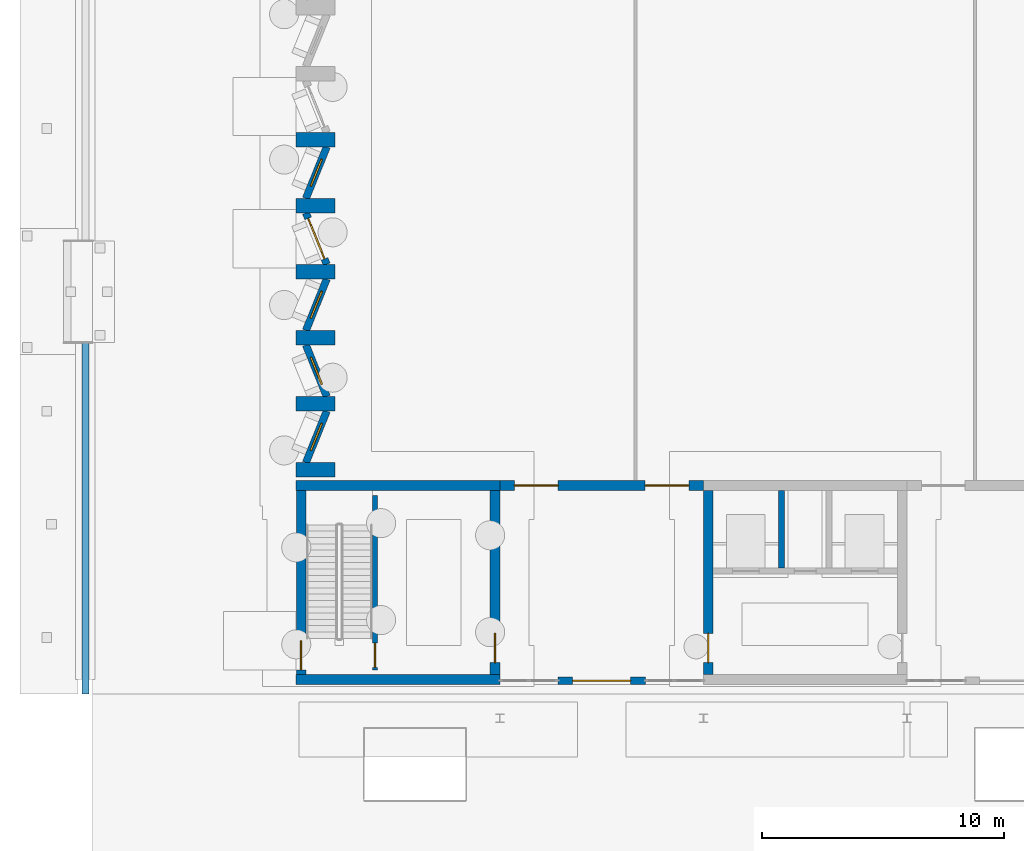
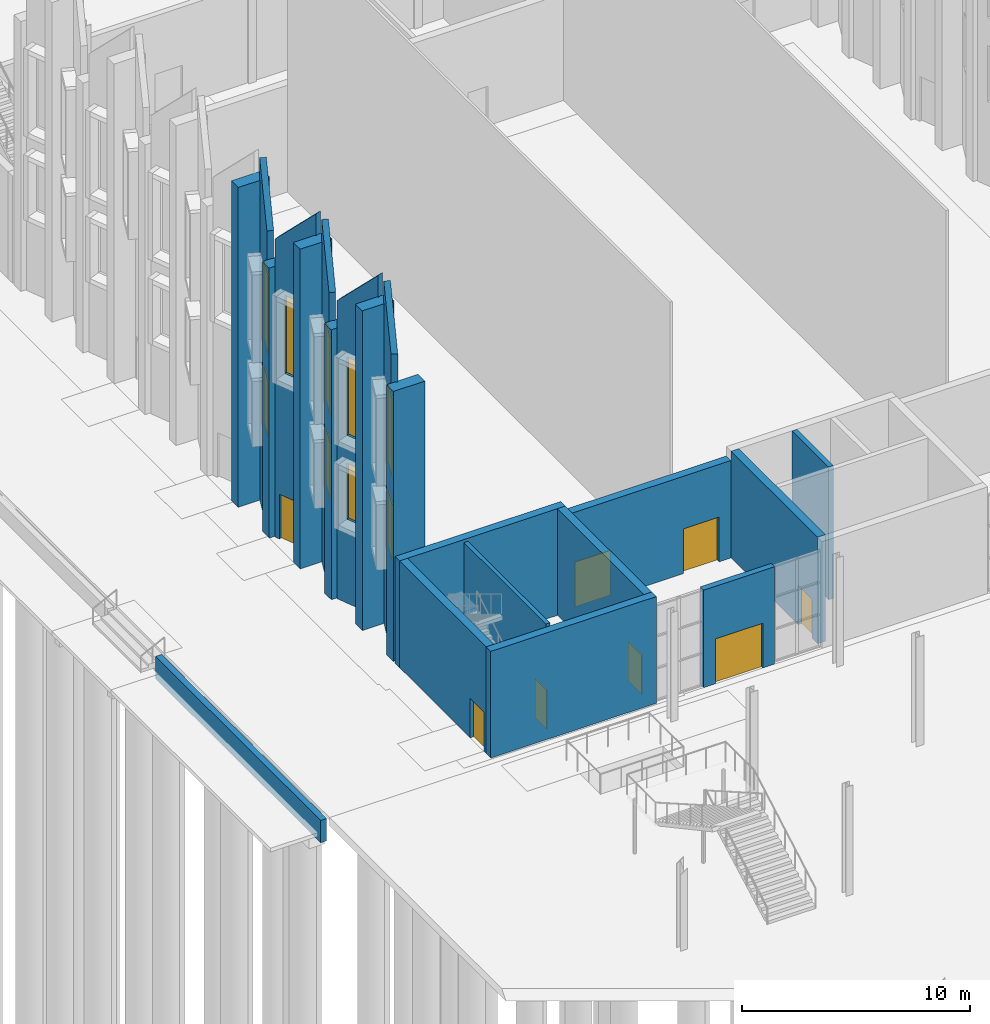
# One storey, part 61 of 108: 21 walls, 9 windows, 8 doors, 17 openings.
"""IFC4 building model written with IfcOpenShell, lengths in metres."""

from ifc_helpers import new_model, si_unit, direction, frame, frame_2d, origin, place, context, subcontext, project, spatial, polyline, rectangle, outline, extrude, material, layer, layer_set, type_object, element, fill, save


model = new_model("IFC4")

# Units and contexts
model_context = context("Model", 3, precision=1e-05, world=origin(), true_north=direction((0.0, 1.0)))
body_context = subcontext(model_context, "Body", "Model", "MODEL_VIEW")
ifc_project = project(units=[si_unit("LENGTHUNIT", "METRE"), si_unit("AREAUNIT", "SQUARE_METRE"), si_unit("VOLUMEUNIT", "CUBIC_METRE"), si_unit("PLANEANGLEUNIT", "RADIAN"), si_unit("MASSUNIT", "GRAM", prefix="KILO")], contexts=[model_context])

# Site, building, storey
site_placement = place(None, origin())
site = spatial("IfcSite", under=ifc_project, at=site_placement, CompositionType="ELEMENT")
building_placement = place(site_placement, origin())
building = spatial("IfcBuilding", under=site, at=building_placement, Name="Cresset Court Congress Hotel", CompositionType="ELEMENT")
storey_placement = place(building_placement, origin())
storey = spatial("IfcBuildingStorey", under=building, at=storey_placement, Name="L00", CompositionType="ELEMENT", Elevation=0.0)

# Wall
ifc_material_1 = material(Name="Concrete C35", Category="concrete")
ifc_layer_1 = layer(ifc_material_1, 0.300048828125)
ifc_layer_set_1 = layer_set([ifc_layer_1], Name="Plinth wall 300")
wall_type_1 = type_object("IfcWallType", Name="Plinth wall 300", PredefinedType="SOLIDWALL", material=ifc_layer_set_1)
wall_1_placement = place(storey_placement, frame((-0.300048828125, 58.39990234375, -1.199951171875), z_axis=(0.0, 0.0, 1.0), x_axis=(0.0, 1.0, 0.0)))
element("IfcWall", 1, at=wall_1_placement, inside=storey, type_object=wall_type_1, Name="S.wall.L00.PW01", PredefinedType="SOLIDWALL", context=body_context, shape_type="SweptSolid", body=[
    extrude(rectangle(XDim=14.5, YDim=0.300048828125, at=frame_2d((7.25, 0.0))), origin(), (0.0, 0.0, 1.0), 1.199951171875),
])

# Wall, opening, door
ifc_material_2 = material(Name="Precast concrete C50", Category="concrete")
ifc_layer_2 = layer(ifc_material_2, 0.300048828125)
ifc_layer_set_2 = layer_set([ifc_layer_2], Name="Precast external wall 300 C50")
wall_type_2 = type_object("IfcWallType", Name="Precast external wall 300 C50", PredefinedType="SOLIDWALL", material=ifc_layer_set_2)
wall_2_placement = place(storey_placement, frame((19.199951171875, 58.949951171875, 0.0), z_axis=(0.0, 0.0, 1.0), x_axis=(1.0, 0.0, 0.0)))
wall_2 = element("IfcWall", 2, at=wall_2_placement, inside=storey, type_object=wall_type_2, Name="Foyer entrance wall L00 W", PredefinedType="SOLIDWALL", context=body_context, shape_type="SweptSolid", body=[
    extrude(rectangle(XDim=3.60009765625, YDim=0.300048828125, at=frame_2d((1.800048828125, 0.0))), origin(), (0.0, 0.0, 1.0), 5.219970703125),
])
opening_1_placement = place(wall_2_placement, frame((0.60009765625, 0.0, 0.0)))
opening_1 = element("IfcOpeningElement", 3, at=opening_1_placement, cuts=wall_2, Name="Opening DD-00-01", PredefinedType="OPENING", context=body_context, shape_type="SweptSolid", body=[
    extrude(rectangle(XDim=2.39990234375, YDim=2.39990234375, at=frame_2d((1.199951171875, 1.199951171875))), frame((0.0, 0.159912109375, 0.0), z_axis=(0.0, -1.0, 0.0), x_axis=(1.0, 0.0, 0.0)), (0.0, 0.0, 1.0), 0.320068359375),
])
ifc_material_3 = material(Name="Timber door leaf", Category="wood")
door_type_1 = type_object("IfcDoorType", Name="Entrance double door 2400x2400", OperationType="DOUBLE_DOOR_SINGLE_SWING", PredefinedType="DOOR", material=ifc_material_3)
door_1_placement = place(opening_1_placement, origin())
door_1 = element("IfcDoor", 4, at=door_1_placement, inside=storey, type_object=door_type_1, Name="Entrance double door DD-00-01", OperationType="DOUBLE_DOOR_SINGLE_SWING", OverallHeight=2.39990234375, OverallWidth=2.39990234375, PredefinedType="DOOR", context=body_context, shape_type="SweptSolid", body=[
    extrude(rectangle(XDim=2.39990234375, YDim=2.39990234375, at=frame_2d((1.199951171875, 1.199951171875))), frame((0.0, 0.02490234375, 0.0), z_axis=(0.0, -1.0, 0.0), x_axis=(1.0, 0.0, 0.0)), (0.0, 0.0, 1.0), 0.050048828125),
])
fill(opening_1, door_1)

# Wall, openings, windows
ifc_material_4 = material(Name="Limestone-faced precast concrete C50", Category="masonry")
ifc_layer_3 = layer(ifc_material_4, 0.300048828125)
ifc_layer_set_3 = layer_set([ifc_layer_3], Name="Precast folded wall panel 300 C50")
wall_type_3 = type_object("IfcWallType", Name="Precast folded wall panel 300 C50", PredefinedType="SOLIDWALL", material=ifc_layer_set_3)
wall_3_placement = place(storey_placement, frame((8.800048828125, 67.949951171875, 0.0), z_axis=(0.0, 0.0, 1.0), x_axis=(0.37463916886, 0.927170692567, 0.0)))
wall_3 = element("IfcWall", 5, at=wall_3_placement, inside=storey, type_object=wall_type_3, Name="Folded wall panel W1", PredefinedType="SOLIDWALL", context=body_context, shape_type="SweptSolid", body=[
    extrude(outline(polyline([(0.0, 0.0), (2.2919921875, 0.0), (2.2919921875, 18.312255859375), (0.0, 15.972900390625), (0.0, 0.0)])), frame((0.0, 0.14990234375, 0.0), z_axis=(0.0, -1.0, 0.0), x_axis=(1.0, 0.0, 0.0)), (0.0, 0.0, 1.0), 0.300048828125),
])
opening_2_placement = place(wall_3_placement, frame((0.5458984375, 0.0, 4.5)))
opening_2 = element("IfcOpeningElement", 6, at=opening_2_placement, cuts=wall_3, Name="Opening ND-00-02", PredefinedType="OPENING", context=body_context, shape_type="SweptSolid", body=[
    extrude(rectangle(XDim=1.199951171875, YDim=3.0, at=frame_2d((0.60009765625, 1.5))), frame((0.0, 0.159912109375, 0.0), z_axis=(0.0, -1.0, 0.0), x_axis=(1.0, 0.0, 0.0)), (0.0, 0.0, 1.0), 0.320068359375),
])
opening_3_placement = place(wall_3_placement, frame((0.5458984375, 0.0, 9.0)))
opening_3 = element("IfcOpeningElement", 7, at=opening_3_placement, cuts=wall_3, Name="Opening ND-00-03", PredefinedType="OPENING", context=body_context, shape_type="SweptSolid", body=[
    extrude(rectangle(XDim=1.199951171875, YDim=4.199951171875, at=frame_2d((0.60009765625, 2.10009765625))), frame((0.0, 0.159912109375, 0.0), z_axis=(0.0, -1.0, 0.0), x_axis=(1.0, 0.0, 0.0)), (0.0, 0.0, 1.0), 0.320068359375),
])
ifc_material_5 = material(Name="Aluminium frame with double glazing", Category="aluminium")
window_type_1 = type_object("IfcWindowType", Name="Window 1200x3000", PartitioningType="TRIPLE_PANEL_VERTICAL", PredefinedType="WINDOW", material=ifc_material_5)
window_1_placement = place(opening_2_placement, origin())
window_1 = element("IfcWindow", 8, at=window_1_placement, inside=storey, type_object=window_type_1, Name="Window ND-00-02", OverallHeight=3.0, OverallWidth=1.199951171875, PartitioningType="TRIPLE_PANEL_VERTICAL", PredefinedType="WINDOW", context=body_context, shape_type="SweptSolid", body=[
    extrude(rectangle(XDim=1.199951171875, YDim=3.0, at=frame_2d((0.60009765625, 1.5))), frame((0.0, 0.030029296875, 0.0), z_axis=(0.0, -1.0, 0.0), x_axis=(1.0, 0.0, 0.0)), (0.0, 0.0, 1.0), 0.06005859375),
])
fill(opening_2, window_1)
ifc_material_6 = material(Name="Aluminium frame with double glazing", Category="aluminium")
window_type_2 = type_object("IfcWindowType", Name="Window 1200x4200", PartitioningType="TRIPLE_PANEL_VERTICAL", PredefinedType="WINDOW", material=ifc_material_6)
window_2_placement = place(opening_3_placement, origin())
window_2 = element("IfcWindow", 9, at=window_2_placement, inside=storey, type_object=window_type_2, Name="Window ND-00-03", OverallHeight=4.199951171875, OverallWidth=1.199951171875, PartitioningType="TRIPLE_PANEL_VERTICAL", PredefinedType="WINDOW", context=body_context, shape_type="SweptSolid", body=[
    extrude(rectangle(XDim=1.199951171875, YDim=4.199951171875, at=frame_2d((0.60009765625, 2.10009765625))), frame((0.0, 0.030029296875, 0.0), z_axis=(0.0, -1.0, 0.0), x_axis=(1.0, 0.0, 0.0)), (0.0, 0.0, 1.0), 0.06005859375),
])
fill(opening_3, window_2)

wall_4_placement = place(storey_placement, frame((9.65869140625, 70.675048828125, 0.0), z_axis=(0.0, 0.0, 1.0), x_axis=(-0.37463916886, 0.927170692567, 0.0)))
wall_4 = element("IfcWall", 10, at=wall_4_placement, inside=storey, type_object=wall_type_3, Name="Folded wall panel W2", PredefinedType="SOLIDWALL", context=body_context, shape_type="SweptSolid", body=[
    extrude(outline(polyline([(0.0, 0.0), (2.2919921875, 0.0), (2.2919921875, 15.972900390625), (0.0, 18.312255859375), (0.0, 0.0)])), frame((0.0, 0.14990234375, 0.0), z_axis=(0.0, -1.0, 0.0), x_axis=(1.0, 0.0, 0.0)), (0.0, 0.0, 1.0), 0.300048828125),
])
opening_4_placement = place(wall_4_placement, frame((0.5458984375, 0.0, 4.5)))
opening_4 = element("IfcOpeningElement", 11, at=opening_4_placement, cuts=wall_4, Name="Opening ND-00-04", PredefinedType="OPENING", context=body_context, shape_type="SweptSolid", body=[
    extrude(rectangle(XDim=1.199951171875, YDim=3.0, at=frame_2d((0.60009765625, 1.5))), frame((0.0, 0.159912109375, 0.0), z_axis=(0.0, -1.0, 0.0), x_axis=(1.0, 0.0, 0.0)), (0.0, 0.0, 1.0), 0.320068359375),
])
opening_5_placement = place(wall_4_placement, frame((0.5458984375, 0.0, 9.0)))
opening_5 = element("IfcOpeningElement", 12, at=opening_5_placement, cuts=wall_4, Name="Opening ND-00-05", PredefinedType="OPENING", context=body_context, shape_type="SweptSolid", body=[
    extrude(rectangle(XDim=1.199951171875, YDim=4.199951171875, at=frame_2d((0.60009765625, 2.10009765625))), frame((0.0, 0.159912109375, 0.0), z_axis=(0.0, -1.0, 0.0), x_axis=(1.0, 0.0, 0.0)), (0.0, 0.0, 1.0), 0.320068359375),
])
window_3_placement = place(opening_4_placement, origin())
window_3 = element("IfcWindow", 13, at=window_3_placement, inside=storey, type_object=window_type_1, Name="Window ND-00-04", OverallHeight=3.0, OverallWidth=1.199951171875, PartitioningType="TRIPLE_PANEL_VERTICAL", PredefinedType="WINDOW", context=body_context, shape_type="SweptSolid", body=[
    extrude(rectangle(XDim=1.199951171875, YDim=3.0, at=frame_2d((0.60009765625, 1.5))), frame((0.0, 0.030029296875, 0.0), z_axis=(0.0, -1.0, 0.0), x_axis=(1.0, 0.0, 0.0)), (0.0, 0.0, 1.0), 0.06005859375),
])
fill(opening_4, window_3)
window_4_placement = place(opening_5_placement, origin())
window_4 = element("IfcWindow", 14, at=window_4_placement, inside=storey, type_object=window_type_2, Name="Window ND-00-05", OverallHeight=4.199951171875, OverallWidth=1.199951171875, PartitioningType="TRIPLE_PANEL_VERTICAL", PredefinedType="WINDOW", context=body_context, shape_type="SweptSolid", body=[
    extrude(rectangle(XDim=1.199951171875, YDim=4.199951171875, at=frame_2d((0.60009765625, 2.10009765625))), frame((0.0, 0.030029296875, 0.0), z_axis=(0.0, -1.0, 0.0), x_axis=(1.0, 0.0, 0.0)), (0.0, 0.0, 1.0), 0.06005859375),
])
fill(opening_5, window_4)

wall_5_placement = place(storey_placement, frame((8.800048828125, 73.39990234375, 0.0), z_axis=(0.0, 0.0, 1.0), x_axis=(0.37463916886, 0.927170692567, 0.0)))
wall_5 = element("IfcWall", 15, at=wall_5_placement, inside=storey, type_object=wall_type_3, Name="Folded wall panel W3", PredefinedType="SOLIDWALL", context=body_context, shape_type="SweptSolid", body=[
    extrude(outline(polyline([(0.0, 0.0), (2.2919921875, 0.0), (2.2919921875, 18.312255859375), (0.0, 15.972900390625), (0.0, 0.0)])), frame((0.0, 0.14990234375, 0.0), z_axis=(0.0, -1.0, 0.0), x_axis=(1.0, 0.0, 0.0)), (0.0, 0.0, 1.0), 0.300048828125),
])
opening_6_placement = place(wall_5_placement, frame((0.5458984375, 0.0, 4.5)))
opening_6 = element("IfcOpeningElement", 16, at=opening_6_placement, cuts=wall_5, Name="Opening ND-00-06", PredefinedType="OPENING", context=body_context, shape_type="SweptSolid", body=[
    extrude(rectangle(XDim=1.199951171875, YDim=3.0, at=frame_2d((0.60009765625, 1.5))), frame((0.0, 0.159912109375, 0.0), z_axis=(0.0, -1.0, 0.0), x_axis=(1.0, 0.0, 0.0)), (0.0, 0.0, 1.0), 0.320068359375),
])
opening_7_placement = place(wall_5_placement, frame((0.5458984375, 0.0, 9.0)))
opening_7 = element("IfcOpeningElement", 17, at=opening_7_placement, cuts=wall_5, Name="Opening ND-00-07", PredefinedType="OPENING", context=body_context, shape_type="SweptSolid", body=[
    extrude(rectangle(XDim=1.199951171875, YDim=4.199951171875, at=frame_2d((0.60009765625, 2.10009765625))), frame((0.0, 0.159912109375, 0.0), z_axis=(0.0, -1.0, 0.0), x_axis=(1.0, 0.0, 0.0)), (0.0, 0.0, 1.0), 0.320068359375),
])
window_5_placement = place(opening_6_placement, origin())
window_5 = element("IfcWindow", 18, at=window_5_placement, inside=storey, type_object=window_type_1, Name="Window ND-00-06", OverallHeight=3.0, OverallWidth=1.199951171875, PartitioningType="TRIPLE_PANEL_VERTICAL", PredefinedType="WINDOW", context=body_context, shape_type="SweptSolid", body=[
    extrude(rectangle(XDim=1.199951171875, YDim=3.0, at=frame_2d((0.60009765625, 1.5))), frame((0.0, 0.030029296875, 0.0), z_axis=(0.0, -1.0, 0.0), x_axis=(1.0, 0.0, 0.0)), (0.0, 0.0, 1.0), 0.06005859375),
])
fill(opening_6, window_5)
window_6_placement = place(opening_7_placement, origin())
window_6 = element("IfcWindow", 19, at=window_6_placement, inside=storey, type_object=window_type_2, Name="Window ND-00-07", OverallHeight=4.199951171875, OverallWidth=1.199951171875, PartitioningType="TRIPLE_PANEL_VERTICAL", PredefinedType="WINDOW", context=body_context, shape_type="SweptSolid", body=[
    extrude(rectangle(XDim=1.199951171875, YDim=4.199951171875, at=frame_2d((0.60009765625, 2.10009765625))), frame((0.0, 0.030029296875, 0.0), z_axis=(0.0, -1.0, 0.0), x_axis=(1.0, 0.0, 0.0)), (0.0, 0.0, 1.0), 0.06005859375),
])
fill(opening_7, window_6)

# Wall, openings, door, window
wall_6_placement = place(storey_placement, frame((9.65869140625, 76.125, 0.0), z_axis=(0.0, 0.0, 1.0), x_axis=(-0.37463916886, 0.927170692567, 0.0)))
wall_6 = element("IfcWall", 20, at=wall_6_placement, inside=storey, type_object=wall_type_3, Name="Folded wall panel W4", PredefinedType="SOLIDWALL", context=body_context, shape_type="SweptSolid", body=[
    extrude(outline(polyline([(0.0, 0.0), (2.2919921875, 0.0), (2.2919921875, 15.972900390625), (0.0, 18.312255859375), (0.0, 0.0)])), frame((0.0, 0.14990234375, 0.0), z_axis=(0.0, -1.0, 0.0), x_axis=(1.0, 0.0, 0.0)), (0.0, 0.0, 1.0), 0.300048828125),
])
opening_8_placement = place(wall_6_placement, frame((0.24609375, 0.0, 0.0)))
opening_8 = element("IfcOpeningElement", 21, at=opening_8_placement, cuts=wall_6, Name="Opening DD-00-08", PredefinedType="OPENING", context=body_context, shape_type="SweptSolid", body=[
    extrude(rectangle(XDim=1.800048828125, YDim=2.39990234375, at=frame_2d((0.89990234375, 1.199951171875))), frame((0.0, 0.159912109375, 0.0), z_axis=(0.0, -1.0, 0.0), x_axis=(1.0, 0.0, 0.0)), (0.0, 0.0, 1.0), 0.320068359375),
])
opening_9_placement = place(wall_6_placement, frame((0.5458984375, 0.0, 9.0)))
opening_9 = element("IfcOpeningElement", 22, at=opening_9_placement, cuts=wall_6, Name="Opening ND-00-08", PredefinedType="OPENING", context=body_context, shape_type="SweptSolid", body=[
    extrude(rectangle(XDim=1.199951171875, YDim=4.199951171875, at=frame_2d((0.60009765625, 2.10009765625))), frame((0.0, 0.159912109375, 0.0), z_axis=(0.0, -1.0, 0.0), x_axis=(1.0, 0.0, 0.0)), (0.0, 0.0, 1.0), 0.320068359375),
])
ifc_material_7 = material(Name="Timber door leaf", Category="wood")
door_type_2 = type_object("IfcDoorType", Name="Hall exit double door 1800x2400", OperationType="DOUBLE_DOOR_SINGLE_SWING", PredefinedType="DOOR", material=ifc_material_7)
door_2_placement = place(opening_8_placement, origin())
door_2 = element("IfcDoor", 23, at=door_2_placement, inside=storey, type_object=door_type_2, Name="Hall exit double door DD-00-08", OperationType="DOUBLE_DOOR_SINGLE_SWING", OverallHeight=2.39990234375, OverallWidth=1.800048828125, PredefinedType="DOOR", context=body_context, shape_type="SweptSolid", body=[
    extrude(rectangle(XDim=1.800048828125, YDim=2.39990234375, at=frame_2d((0.89990234375, 1.199951171875))), frame((0.0, 0.02490234375, 0.0), z_axis=(0.0, -1.0, 0.0), x_axis=(1.0, 0.0, 0.0)), (0.0, 0.0, 1.0), 0.050048828125),
])
fill(opening_8, door_2)
window_7_placement = place(opening_9_placement, origin())
window_7 = element("IfcWindow", 24, at=window_7_placement, inside=storey, type_object=window_type_2, Name="Window ND-00-08", OverallHeight=4.199951171875, OverallWidth=1.199951171875, PartitioningType="TRIPLE_PANEL_VERTICAL", PredefinedType="WINDOW", context=body_context, shape_type="SweptSolid", body=[
    extrude(rectangle(XDim=1.199951171875, YDim=4.199951171875, at=frame_2d((0.60009765625, 2.10009765625))), frame((0.0, 0.030029296875, 0.0), z_axis=(0.0, -1.0, 0.0), x_axis=(1.0, 0.0, 0.0)), (0.0, 0.0, 1.0), 0.06005859375),
])
fill(opening_9, window_7)

# Wall, openings, windows
wall_7_placement = place(storey_placement, frame((8.800048828125, 78.85009765625, 0.0), z_axis=(0.0, 0.0, 1.0), x_axis=(0.37463916886, 0.927170692567, 0.0)))
wall_7 = element("IfcWall", 25, at=wall_7_placement, inside=storey, type_object=wall_type_3, Name="Folded wall panel W5", PredefinedType="SOLIDWALL", context=body_context, shape_type="SweptSolid", body=[
    extrude(outline(polyline([(0.0, 0.0), (2.2919921875, 0.0), (2.2919921875, 18.312255859375), (0.0, 15.972900390625), (0.0, 0.0)])), frame((0.0, 0.14990234375, 0.0), z_axis=(0.0, -1.0, 0.0), x_axis=(1.0, 0.0, 0.0)), (0.0, 0.0, 1.0), 0.300048828125),
])
opening_10_placement = place(wall_7_placement, frame((0.5458984375, 0.0, 4.5)))
opening_10 = element("IfcOpeningElement", 26, at=opening_10_placement, cuts=wall_7, Name="Opening ND-00-09", PredefinedType="OPENING", context=body_context, shape_type="SweptSolid", body=[
    extrude(rectangle(XDim=1.199951171875, YDim=3.0, at=frame_2d((0.60009765625, 1.5))), frame((0.0, 0.159912109375, 0.0), z_axis=(0.0, -1.0, 0.0), x_axis=(1.0, 0.0, 0.0)), (0.0, 0.0, 1.0), 0.320068359375),
])
opening_11_placement = place(wall_7_placement, frame((0.5458984375, 0.0, 9.0)))
opening_11 = element("IfcOpeningElement", 27, at=opening_11_placement, cuts=wall_7, Name="Opening ND-00-10", PredefinedType="OPENING", context=body_context, shape_type="SweptSolid", body=[
    extrude(rectangle(XDim=1.199951171875, YDim=4.199951171875, at=frame_2d((0.60009765625, 2.10009765625))), frame((0.0, 0.159912109375, 0.0), z_axis=(0.0, -1.0, 0.0), x_axis=(1.0, 0.0, 0.0)), (0.0, 0.0, 1.0), 0.320068359375),
])
window_8_placement = place(opening_10_placement, origin())
window_8 = element("IfcWindow", 28, at=window_8_placement, inside=storey, type_object=window_type_1, Name="Window ND-00-09", OverallHeight=3.0, OverallWidth=1.199951171875, PartitioningType="TRIPLE_PANEL_VERTICAL", PredefinedType="WINDOW", context=body_context, shape_type="SweptSolid", body=[
    extrude(rectangle(XDim=1.199951171875, YDim=3.0, at=frame_2d((0.60009765625, 1.5))), frame((0.0, 0.030029296875, 0.0), z_axis=(0.0, -1.0, 0.0), x_axis=(1.0, 0.0, 0.0)), (0.0, 0.0, 1.0), 0.06005859375),
])
fill(opening_10, window_8)
window_9_placement = place(opening_11_placement, origin())
window_9 = element("IfcWindow", 29, at=window_9_placement, inside=storey, type_object=window_type_2, Name="Window ND-00-10", OverallHeight=4.199951171875, OverallWidth=1.199951171875, PartitioningType="TRIPLE_PANEL_VERTICAL", PredefinedType="WINDOW", context=body_context, shape_type="SweptSolid", body=[
    extrude(rectangle(XDim=1.199951171875, YDim=4.199951171875, at=frame_2d((0.60009765625, 2.10009765625))), frame((0.0, 0.030029296875, 0.0), z_axis=(0.0, -1.0, 0.0), x_axis=(1.0, 0.0, 0.0)), (0.0, 0.0, 1.0), 0.06005859375),
])
fill(opening_11, window_9)

# Walls
ifc_material_8 = material(Name="Concrete C40", Category="concrete")
ifc_layer_4 = layer(ifc_material_8, 0.60009765625)
ifc_layer_set_4 = layer_set([ifc_layer_4], Name="RC buttress wall 600 C40")
wall_type_4 = type_object("IfcWallType", Name="RC buttress wall 600 C40", PredefinedType="SOLIDWALL", material=ifc_layer_set_4)
wall_8_placement = place(storey_placement, frame((8.39990234375, 67.64990234375, 0.0), z_axis=(0.0, 0.0, 1.0), x_axis=(1.0, 0.0, 0.0)))
element("IfcWall", 30, at=wall_8_placement, inside=storey, type_object=wall_type_4, Name="Buttress W1", PredefinedType="SOLIDWALL", context=body_context, shape_type="SweptSolid", body=[
    extrude(rectangle(XDim=1.60009765625, YDim=0.60009765625, at=frame_2d((0.800048828125, 0.0))), origin(), (0.0, 0.0, 1.0), 14.466796875),
])
wall_9_placement = place(storey_placement, frame((8.39990234375, 70.375, 0.0), z_axis=(0.0, 0.0, 1.0), x_axis=(1.0, 0.0, 0.0)))
element("IfcWall", 31, at=wall_9_placement, inside=storey, type_object=wall_type_4, Name="Buttress W2", PredefinedType="SOLIDWALL", context=body_context, shape_type="SweptSolid", body=[
    extrude(rectangle(XDim=1.60009765625, YDim=0.60009765625, at=frame_2d((0.800048828125, 0.0))), origin(), (0.0, 0.0, 1.0), 17.136474609375),
])
wall_10_placement = place(storey_placement, frame((8.39990234375, 73.10009765625, 0.0), z_axis=(0.0, 0.0, 1.0), x_axis=(1.0, 0.0, 0.0)))
element("IfcWall", 32, at=wall_10_placement, inside=storey, type_object=wall_type_4, Name="Buttress W3", PredefinedType="SOLIDWALL", context=body_context, shape_type="SweptSolid", body=[
    extrude(rectangle(XDim=1.60009765625, YDim=0.60009765625, at=frame_2d((0.800048828125, 0.0))), origin(), (0.0, 0.0, 1.0), 14.466796875),
])
wall_11_placement = place(storey_placement, frame((8.39990234375, 75.824951171875, 0.0), z_axis=(0.0, 0.0, 1.0), x_axis=(1.0, 0.0, 0.0)))
element("IfcWall", 33, at=wall_11_placement, inside=storey, type_object=wall_type_4, Name="Buttress W4", PredefinedType="SOLIDWALL", context=body_context, shape_type="SweptSolid", body=[
    extrude(rectangle(XDim=1.60009765625, YDim=0.60009765625, at=frame_2d((0.800048828125, 0.0))), origin(), (0.0, 0.0, 1.0), 17.136474609375),
])
wall_12_placement = place(storey_placement, frame((8.39990234375, 78.550048828125, 0.0), z_axis=(0.0, 0.0, 1.0), x_axis=(1.0, 0.0, 0.0)))
element("IfcWall", 34, at=wall_12_placement, inside=storey, type_object=wall_type_4, Name="Buttress W5", PredefinedType="SOLIDWALL", context=body_context, shape_type="SweptSolid", body=[
    extrude(rectangle(XDim=1.60009765625, YDim=0.60009765625, at=frame_2d((0.800048828125, 0.0))), origin(), (0.0, 0.0, 1.0), 14.466796875),
])
wall_13_placement = place(storey_placement, frame((8.39990234375, 81.27490234375, 0.0), z_axis=(0.0, 0.0, 1.0), x_axis=(1.0, 0.0, 0.0)))
element("IfcWall", 35, at=wall_13_placement, inside=storey, type_object=wall_type_4, Name="Buttress W6", PredefinedType="SOLIDWALL", context=body_context, shape_type="SweptSolid", body=[
    extrude(rectangle(XDim=1.60009765625, YDim=0.60009765625, at=frame_2d((0.800048828125, 0.0))), origin(), (0.0, 0.0, 1.0), 17.136474609375),
])
ifc_material_9 = material(Name="Concrete C50", Category="concrete")
ifc_layer_5 = layer(ifc_material_9, 0.39990234375)
ifc_layer_set_5 = layer_set([ifc_layer_5], Name="RC core wall 400 C50")
wall_type_5 = type_object("IfcWallType", Name="RC core wall 400 C50", PredefinedType="SOLIDWALL", material=ifc_layer_set_5)
for number, where, z_axis, x_axis, name in (
    (36, (8.39990234375, 59.0, 0.0), (0.0, 0.0, 1.0), (1.0, 0.0, 0.0), "ST-D1 south wall"),
    (37, (8.39990234375, 67.0, 0.0), (0.0, 0.0, 1.0), (1.0, 0.0, 0.0), "ST-D1 north wall"),
):
    element("IfcWall", number, at=place(storey_placement, frame(where, z_axis=z_axis, x_axis=x_axis)), inside=storey, type_object=wall_type_5, Name=name, PredefinedType="SOLIDWALL", context=body_context, shape_type="SweptSolid", body=[
        extrude(rectangle(XDim=8.400146484375, YDim=0.39990234375, at=frame_2d((4.2001953125, 0.0))), origin(), (0.0, 0.0, 1.0), 5.719970703125),
    ])

# Wall, opening, door
wall_14_placement = place(storey_placement, frame((8.60009765625, 59.199951171875, 0.0), z_axis=(0.0, 0.0, 1.0), x_axis=(0.0, 1.0, 0.0)))
wall_14 = element("IfcWall", 38, at=wall_14_placement, inside=storey, type_object=wall_type_5, Name="ST-D1 west wall", PredefinedType="SOLIDWALL", context=body_context, shape_type="SweptSolid", body=[
    extrude(rectangle(XDim=7.60009765625, YDim=0.39990234375, at=frame_2d((3.800048828125, 0.0))), origin(), (0.0, 0.0, 1.0), 5.719970703125),
])
opening_12_placement = place(wall_14_placement, frame((0.199951171875, 0.0, 0.0)))
opening_12 = element("IfcOpeningElement", 39, at=opening_12_placement, cuts=wall_14, Name="Opening DD-00-06", PredefinedType="OPENING", context=body_context, shape_type="SweptSolid", body=[
    extrude(rectangle(XDim=1.199951171875, YDim=2.10009765625, at=frame_2d((0.60009765625, 1.050048828125))), frame((0.0, 0.2099609375, 0.0), z_axis=(0.0, -1.0, 0.0), x_axis=(1.0, 0.0, 0.0)), (0.0, 0.0, 1.0), 0.419921875),
])
ifc_material_10 = material(Name="Timber door leaf", Category="wood")
door_type_3 = type_object("IfcDoorType", Name="Exit door 1200x2100", OperationType="SINGLE_SWING_LEFT", PredefinedType="DOOR", material=ifc_material_10)
door_3_placement = place(opening_12_placement, origin())
door_3 = element("IfcDoor", 40, at=door_3_placement, inside=storey, type_object=door_type_3, Name="Exit door DD-00-06", OperationType="SINGLE_SWING_LEFT", OverallHeight=2.10009765625, OverallWidth=1.199951171875, PredefinedType="DOOR", context=body_context, shape_type="SweptSolid", body=[
    extrude(rectangle(XDim=1.199951171875, YDim=2.10009765625, at=frame_2d((0.60009765625, 1.050048828125))), frame((0.0, 0.02490234375, 0.0), z_axis=(0.0, -1.0, 0.0), x_axis=(1.0, 0.0, 0.0)), (0.0, 0.0, 1.0), 0.050048828125),
])
fill(opening_12, door_3)

wall_15_placement = place(storey_placement, frame((16.60009765625, 59.199951171875, 0.0), z_axis=(0.0, 0.0, 1.0), x_axis=(0.0, 1.0, 0.0)))
wall_15 = element("IfcWall", 41, at=wall_15_placement, inside=storey, type_object=wall_type_5, Name="ST-D1 east wall", PredefinedType="SOLIDWALL", context=body_context, shape_type="SweptSolid", body=[
    extrude(rectangle(XDim=7.60009765625, YDim=0.39990234375, at=frame_2d((3.800048828125, 0.0))), origin(), (0.0, 0.0, 1.0), 5.719970703125),
])
opening_13_placement = place(wall_15_placement, frame((0.5, 0.0, 0.0)))
opening_13 = element("IfcOpeningElement", 42, at=opening_13_placement, cuts=wall_15, Name="Opening DD-00-14", PredefinedType="OPENING", context=body_context, shape_type="SweptSolid", body=[
    extrude(rectangle(XDim=1.199951171875, YDim=2.10009765625, at=frame_2d((0.60009765625, 1.050048828125))), frame((0.0, 0.2099609375, 0.0), z_axis=(0.0, -1.0, 0.0), x_axis=(1.0, 0.0, 0.0)), (0.0, 0.0, 1.0), 0.419921875),
])
ifc_material_11 = material(Name="Timber door leaf", Category="wood")
door_type_4 = type_object("IfcDoorType", Name="Stair lobby door 1200x2100", OperationType="SINGLE_SWING_LEFT", PredefinedType="DOOR", material=ifc_material_11)
door_4_placement = place(opening_13_placement, origin())
door_4 = element("IfcDoor", 43, at=door_4_placement, inside=storey, type_object=door_type_4, Name="Stair lobby door DD-00-14", OperationType="SINGLE_SWING_LEFT", OverallHeight=2.10009765625, OverallWidth=1.199951171875, PredefinedType="DOOR", context=body_context, shape_type="SweptSolid", body=[
    extrude(rectangle(XDim=1.199951171875, YDim=2.10009765625, at=frame_2d((0.60009765625, 1.050048828125))), frame((0.0, 0.02490234375, 0.0), z_axis=(0.0, -1.0, 0.0), x_axis=(1.0, 0.0, 0.0)), (0.0, 0.0, 1.0), 0.050048828125),
])
fill(opening_13, door_4)

wall_16_placement = place(storey_placement, frame((25.39990234375, 59.199951171875, 0.0), z_axis=(0.0, 0.0, 1.0), x_axis=(0.0, 1.0, 0.0)))
wall_16 = element("IfcWall", 44, at=wall_16_placement, inside=storey, type_object=wall_type_5, Name="LC-D1 west wall", PredefinedType="SOLIDWALL", context=body_context, shape_type="SweptSolid", body=[
    extrude(rectangle(XDim=7.60009765625, YDim=0.39990234375, at=frame_2d((3.800048828125, 0.0))), origin(), (0.0, 0.0, 1.0), 5.719970703125),
])
opening_14_placement = place(wall_16_placement, frame((0.5, 0.0, 0.0)))
opening_14 = element("IfcOpeningElement", 45, at=opening_14_placement, cuts=wall_16, Name="Opening DD-00-18", PredefinedType="OPENING", context=body_context, shape_type="SweptSolid", body=[
    extrude(rectangle(XDim=1.199951171875, YDim=2.10009765625, at=frame_2d((0.60009765625, 1.050048828125))), frame((0.0, 0.2099609375, 0.0), z_axis=(0.0, -1.0, 0.0), x_axis=(1.0, 0.0, 0.0)), (0.0, 0.0, 1.0), 0.419921875),
])
ifc_material_12 = material(Name="Timber door leaf", Category="wood")
door_type_5 = type_object("IfcDoorType", Name="Lift lobby door 1200x2100", OperationType="SINGLE_SWING_LEFT", PredefinedType="DOOR", material=ifc_material_12)
door_5_placement = place(opening_14_placement, origin())
door_5 = element("IfcDoor", 46, at=door_5_placement, inside=storey, type_object=door_type_5, Name="Lift lobby door DD-00-18", OperationType="SINGLE_SWING_LEFT", OverallHeight=2.10009765625, OverallWidth=1.199951171875, PredefinedType="DOOR", context=body_context, shape_type="SweptSolid", body=[
    extrude(rectangle(XDim=1.199951171875, YDim=2.10009765625, at=frame_2d((0.60009765625, 1.050048828125))), frame((0.0, 0.02490234375, 0.0), z_axis=(0.0, -1.0, 0.0), x_axis=(1.0, 0.0, 0.0)), (0.0, 0.0, 1.0), 0.050048828125),
])
fill(opening_14, door_5)

# Wall, openings, doors
ifc_material_13 = material(Name="Concrete C40", Category="concrete")
ifc_layer_6 = layer(ifc_material_13, 0.39990234375)
ifc_layer_set_6 = layer_set([ifc_layer_6], Name="RC hall wall 400 C40")
wall_type_6 = type_object("IfcWallType", Name="RC hall wall 400 C40", PredefinedType="SOLIDWALL", material=ifc_layer_set_6)
wall_17_placement = place(storey_placement, frame((16.800048828125, 67.0, 0.0), z_axis=(0.0, 0.0, 1.0), x_axis=(1.0, 0.0, 0.0)))
wall_17 = element("IfcWall", 47, at=wall_17_placement, inside=storey, type_object=wall_type_6, Name="Hall south wall L00 W", PredefinedType="SOLIDWALL", context=body_context, shape_type="SweptSolid", body=[
    extrude(rectangle(XDim=8.39990234375, YDim=0.39990234375, at=frame_2d((4.199951171875, 0.0))), origin(), (0.0, 0.0, 1.0), 5.219970703125),
])
opening_15_placement = place(wall_17_placement, frame((0.60009765625, 0.0, 0.0)))
opening_15 = element("IfcOpeningElement", 48, at=opening_15_placement, cuts=wall_17, Name="Opening DD-00-23A", PredefinedType="OPENING", context=body_context, shape_type="SweptSolid", body=[
    extrude(rectangle(XDim=1.800048828125, YDim=2.39990234375, at=frame_2d((0.89990234375, 1.199951171875))), frame((0.0, 0.2099609375, 0.0), z_axis=(0.0, -1.0, 0.0), x_axis=(1.0, 0.0, 0.0)), (0.0, 0.0, 1.0), 0.419921875),
])
opening_16_placement = place(wall_17_placement, frame((6.0, 0.0, 0.0)))
opening_16 = element("IfcOpeningElement", 49, at=opening_16_placement, cuts=wall_17, Name="Opening DD-00-24A", PredefinedType="OPENING", context=body_context, shape_type="SweptSolid", body=[
    extrude(rectangle(XDim=1.800048828125, YDim=2.39990234375, at=frame_2d((0.89990234375, 1.199951171875))), frame((0.0, 0.2099609375, 0.0), z_axis=(0.0, -1.0, 0.0), x_axis=(1.0, 0.0, 0.0)), (0.0, 0.0, 1.0), 0.419921875),
])
ifc_material_14 = material(Name="Timber door leaf", Category="wood")
door_type_6 = type_object("IfcDoorType", Name="Hall exit double door 1800x2400 internal", OperationType="DOUBLE_DOOR_SINGLE_SWING", PredefinedType="DOOR", material=ifc_material_14)
door_6_placement = place(opening_15_placement, origin())
door_6 = element("IfcDoor", 50, at=door_6_placement, inside=storey, type_object=door_type_6, Name="Hall exit double door DD-00-23", OperationType="DOUBLE_DOOR_SINGLE_SWING", OverallHeight=2.39990234375, OverallWidth=1.800048828125, PredefinedType="DOOR", context=body_context, shape_type="SweptSolid", body=[
    extrude(rectangle(XDim=1.800048828125, YDim=2.39990234375, at=frame_2d((0.89990234375, 1.199951171875))), frame((0.0, 0.02490234375, 0.0), z_axis=(0.0, -1.0, 0.0), x_axis=(1.0, 0.0, 0.0)), (0.0, 0.0, 1.0), 0.050048828125),
])
fill(opening_15, door_6)
door_7_placement = place(opening_16_placement, origin())
door_7 = element("IfcDoor", 51, at=door_7_placement, inside=storey, type_object=door_type_6, Name="Hall exit double door DD-00-24", OperationType="DOUBLE_DOOR_SINGLE_SWING", OverallHeight=2.39990234375, OverallWidth=1.800048828125, PredefinedType="DOOR", context=body_context, shape_type="SweptSolid", body=[
    extrude(rectangle(XDim=1.800048828125, YDim=2.39990234375, at=frame_2d((0.89990234375, 1.199951171875))), frame((0.0, 0.02490234375, 0.0), z_axis=(0.0, -1.0, 0.0), x_axis=(1.0, 0.0, 0.0)), (0.0, 0.0, 1.0), 0.050048828125),
])
fill(opening_16, door_7)

# Wall
ifc_material_15 = material(Name="Concrete C50", Category="concrete")
ifc_layer_7 = layer(ifc_material_15, 0.25)
ifc_layer_set_7 = layer_set([ifc_layer_7], Name="RC lift shaft wall 250 C50")
wall_type_7 = type_object("IfcWallType", Name="RC lift shaft wall 250 C50", PredefinedType="SOLIDWALL", material=ifc_layer_set_7)
wall_18_placement = place(storey_placement, frame((28.425048828125, 63.60009765625, -1.39990234375), z_axis=(0.0, 0.0, 1.0), x_axis=(0.0, 1.0, 0.0)))
element("IfcWall", 52, at=wall_18_placement, inside=storey, type_object=wall_type_7, Name="Lift shaft wall A", PredefinedType="SOLIDWALL", context=body_context, shape_type="SweptSolid", body=[
    extrude(rectangle(XDim=3.199951171875, YDim=0.25, at=frame_2d((1.60009765625, 0.0))), origin(), (0.0, 0.0, 1.0), 7.119873046875),
])

# Wall, opening, door
ifc_material_16 = material(Name="Concrete C40", Category="concrete")
ifc_layer_8 = layer(ifc_material_16, 0.199951171875)
ifc_layer_set_8 = layer_set([ifc_layer_8], Name="RC stair enclosure wall 200 C40")
wall_type_8 = type_object("IfcWallType", Name="RC stair enclosure wall 200 C40", PredefinedType="SOLIDWALL", material=ifc_layer_set_8)
wall_19_placement = place(storey_placement, frame((11.64990234375, 59.39990234375, 0.0), z_axis=(0.0, 0.0, 1.0), x_axis=(0.0, 1.0, 0.0)))
wall_19 = element("IfcWall", 53, at=wall_19_placement, inside=storey, type_object=wall_type_8, Name="ST-D1 stair enclosure wall", PredefinedType="SOLIDWALL", context=body_context, shape_type="SweptSolid", body=[
    extrude(rectangle(XDim=7.2001953125, YDim=0.199951171875, at=frame_2d((3.60009765625, 0.0))), origin(), (0.0, 0.0, 1.0), 5.719970703125),
])
opening_17_placement = place(wall_19_placement, frame((0.10009765625, 0.0, 0.0)))
opening_17 = element("IfcOpeningElement", 54, at=opening_17_placement, cuts=wall_19, Name="Opening DD-00-15", PredefinedType="OPENING", context=body_context, shape_type="SweptSolid", body=[
    extrude(rectangle(XDim=1.0, YDim=2.10009765625, at=frame_2d((0.5, 1.050048828125))), frame((0.0, 0.10986328125, 0.0), z_axis=(0.0, -1.0, 0.0), x_axis=(1.0, 0.0, 0.0)), (0.0, 0.0, 1.0), 0.219970703125),
])
ifc_material_17 = material(Name="Timber door leaf", Category="wood")
door_type_7 = type_object("IfcDoorType", Name="Stair door 1000x2100", OperationType="SINGLE_SWING_LEFT", PredefinedType="DOOR", material=ifc_material_17)
door_8_placement = place(opening_17_placement, origin())
door_8 = element("IfcDoor", 55, at=door_8_placement, inside=storey, type_object=door_type_7, Name="Stair door DD-00-15", OperationType="SINGLE_SWING_LEFT", OverallHeight=2.10009765625, OverallWidth=1.0, PredefinedType="DOOR", context=body_context, shape_type="SweptSolid", body=[
    extrude(rectangle(XDim=1.0, YDim=2.10009765625, at=frame_2d((0.5, 1.050048828125))), frame((0.0, 0.02490234375, 0.0), z_axis=(0.0, -1.0, 0.0), x_axis=(1.0, 0.0, 0.0)), (0.0, 0.0, 1.0), 0.050048828125),
])
fill(opening_17, door_8)

save(model, "model.ifc")
